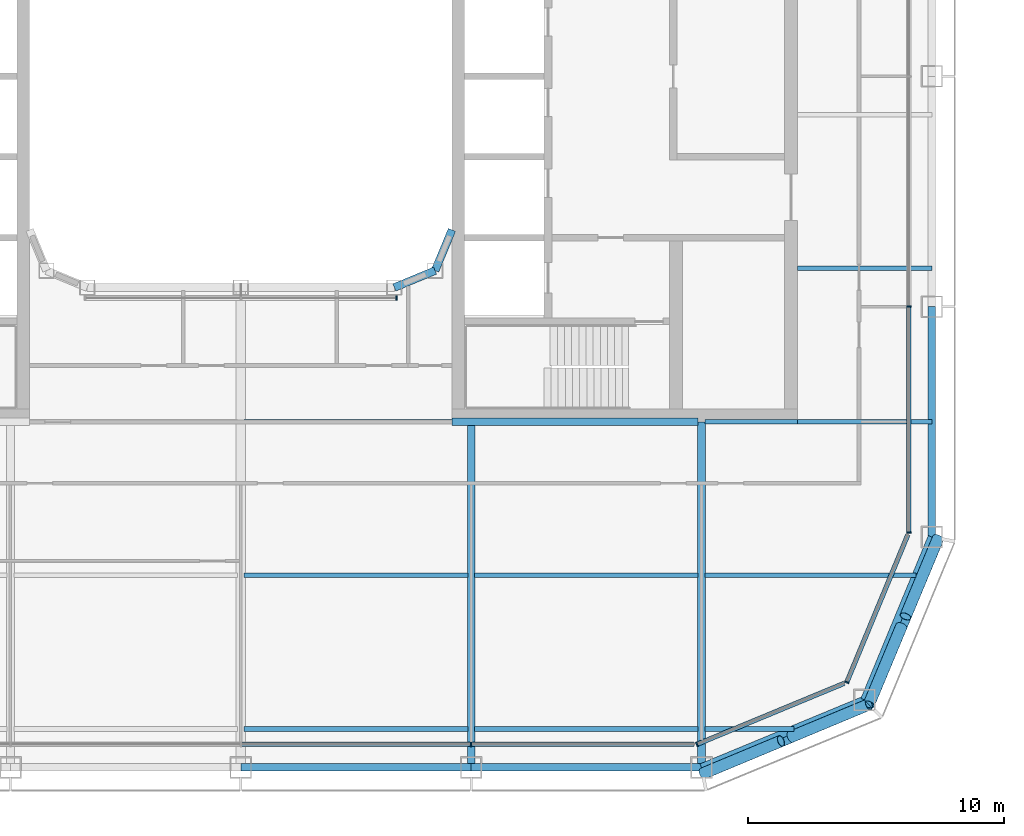
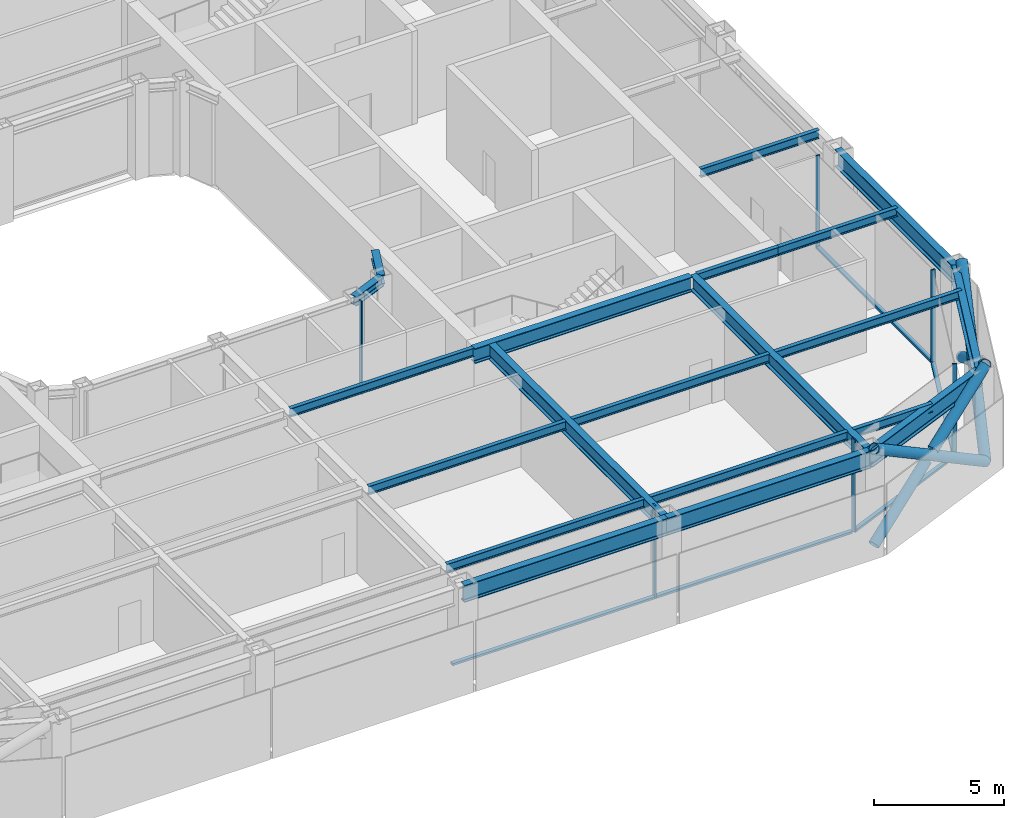
# One storey, part 4 of 23: 20 beams, 17 members, 5 elements without a shape of their own.
"""IFC4 building model written with IfcOpenShell, lengths in metres."""

from ifc_helpers import new_model, si_unit, direction, frame, origin, origin_2d, place, context, subcontext, project, spatial, rectangle, hollow_circle, i_section, extrude, material, layer, layer_set, material_profile, profile_set, type_object, element, aggregate, save


model = new_model("IFC4")

# Units and contexts
model_context = context("Model", 3, precision=1e-05, world=origin(), true_north=direction((0.0, 1.0)))
body_context = subcontext(model_context, "Body", "Model", "MODEL_VIEW")
ifc_project = project(units=[si_unit("LENGTHUNIT", "METRE"), si_unit("AREAUNIT", "SQUARE_METRE"), si_unit("VOLUMEUNIT", "CUBIC_METRE"), si_unit("PLANEANGLEUNIT", "RADIAN"), si_unit("MASSUNIT", "GRAM", prefix="KILO")], contexts=[model_context])

# Site, building, storey
site_placement = place(None, origin())
site = spatial("IfcSite", under=ifc_project, at=site_placement, CompositionType="ELEMENT")
building_placement = place(site_placement, origin())
building = spatial("IfcBuilding", under=site, at=building_placement, Name="Siwar Civic Tower", CompositionType="ELEMENT")
storey_placement = place(building_placement, frame((0.0, 0.0, 206.199951171875)))
storey = spatial("IfcBuildingStorey", under=building, at=storey_placement, Name="L44", CompositionType="ELEMENT", Elevation=206.199951171875)

# Curtain wall, member
ifc_material_1 = material(Name="Aluminium and glass", Category="aluminium")
ifc_layer_1 = layer(ifc_material_1, 0.179931640625)
ifc_layer_set_1 = layer_set([ifc_layer_1], Name="Aluminium and glass")
curtain_wall_type_1 = type_object("IfcCurtainWallType", Name="ENV-CW-C", PredefinedType="NOTDEFINED", material=ifc_layer_set_1)
curtain_wall_1_placement = place(storey_placement, origin())
curtain_wall_1 = element("IfcCurtainWall", 1, at=curtain_wall_1_placement, inside=storey, type_object=curtain_wall_type_1, Name="Curtain wall C S", PredefinedType="NOTDEFINED")
ifc_material_2 = material(Name="Aluminium 6063-T6", Category="aluminium")
ifc_material_profile_1 = material_profile(ifc_material_2, rectangle(XDim=0.179931640625, YDim=0.06005859375, at=origin_2d()), Name="AL 180x60")
ifc_profile_set_1 = profile_set([ifc_material_profile_1], Name="Aluminium 6063-T6")
member_type_1 = type_object("IfcMemberType", Name="ENV-MULLION-C", PredefinedType="MULLION", material=ifc_profile_set_1)
member_1_placement = place(storey_placement, frame((9.0, -26.10009765625, 0.0), z_axis=(0.0, 0.0, 1.0), x_axis=(0.0, 1.0, 0.0)))
member_1 = element("IfcMember", 2, at=member_1_placement, type_object=member_type_1, Name="Mullion C S 4", PredefinedType="MULLION", context=body_context, shape_type="SweptSolid", body=[
    extrude(rectangle(XDim=0.179931640625, YDim=0.06005859375, at=origin_2d()), origin(), (0.0, 0.0, 1.0), 4.35009765625),
])

ifc_material_3 = material(Name="Aluminium clad insulated panel", Category="aluminium")
ifc_layer_2 = layer(ifc_material_3, 0.179931640625)
ifc_layer_set_2 = layer_set([ifc_layer_2], Name="Aluminium clad insulated panel")
curtain_wall_type_2 = type_object("IfcCurtainWallType", Name="ENV-CW-CX", PredefinedType="NOTDEFINED", material=ifc_layer_set_2)
curtain_wall_2_placement = place(storey_placement, origin())
curtain_wall_2 = element("IfcCurtainWall", 3, at=curtain_wall_2_placement, inside=storey, type_object=curtain_wall_type_2, Name="Curtain wall C SE1", PredefinedType="NOTDEFINED")
member_2_placement = place(storey_placement, frame((17.821044921875, -26.10009765625, 0.0), z_axis=(0.0, 0.0, 1.0), x_axis=(-0.382683432365, 0.923879532511, 0.0)))
member_2 = element("IfcMember", 4, at=member_2_placement, type_object=member_type_1, Name="Mullion C SE1 1", PredefinedType="MULLION", context=body_context, shape_type="SweptSolid", body=[
    extrude(rectangle(XDim=0.179931640625, YDim=0.06005859375, at=origin_2d()), origin(), (0.0, 0.0, 1.0), 4.35009765625),
])

curtain_wall_3_placement = place(storey_placement, origin())
curtain_wall_3 = element("IfcCurtainWall", 5, at=curtain_wall_3_placement, inside=storey, type_object=curtain_wall_type_2, Name="Curtain wall C SE2", PredefinedType="NOTDEFINED")
member_3_placement = place(storey_placement, frame((23.675048828125, -23.675048828125, 0.0), z_axis=(0.0, 0.0, 1.0), x_axis=(-0.923879532511, 0.382683432365, 0.0)))
member_3 = element("IfcMember", 6, at=member_3_placement, type_object=member_type_1, Name="Mullion C SE2 1", PredefinedType="MULLION", context=body_context, shape_type="SweptSolid", body=[
    extrude(rectangle(XDim=0.179931640625, YDim=0.06005859375, at=origin_2d()), origin(), (0.0, 0.0, 1.0), 4.35009765625),
])

# Curtain wall, members
curtain_wall_4_placement = place(storey_placement, origin())
curtain_wall_4 = element("IfcCurtainWall", 7, at=curtain_wall_4_placement, inside=storey, type_object=curtain_wall_type_1, Name="Curtain wall C E", PredefinedType="NOTDEFINED")
member_4_placement = place(storey_placement, frame((26.10009765625, -17.821044921875, 0.0), z_axis=(0.0, 0.0, 1.0), x_axis=(-1.0, 0.0, 0.0)))
member_4 = element("IfcMember", 8, at=member_4_placement, type_object=member_type_1, Name="Mullion C E 1", PredefinedType="MULLION", context=body_context, shape_type="SweptSolid", body=[
    extrude(rectangle(XDim=0.179931640625, YDim=0.06005859375, at=origin_2d()), origin(), (0.0, 0.0, 1.0), 4.35009765625),
])
member_5_placement = place(storey_placement, frame((26.10009765625, -9.0, 0.0), z_axis=(0.0, 0.0, 1.0), x_axis=(-1.0, 0.0, 0.0)))
member_5 = element("IfcMember", 9, at=member_5_placement, type_object=member_type_1, Name="Mullion C E 2", PredefinedType="MULLION", context=body_context, shape_type="SweptSolid", body=[
    extrude(rectangle(XDim=0.179931640625, YDim=0.06005859375, at=origin_2d()), origin(), (0.0, 0.0, 1.0), 4.35009765625),
])

# Curtain wall, member
ifc_material_4 = material(Name="Aluminium and glass", Category="aluminium")
ifc_layer_3 = layer(ifc_material_4, 0.179931640625)
ifc_layer_set_3 = layer_set([ifc_layer_3], Name="Aluminium and glass")
curtain_wall_type_3 = type_object("IfcCurtainWallType", Name="ENV-CW-W", PredefinedType="NOTDEFINED", material=ifc_layer_set_3)
curtain_wall_5_placement = place(storey_placement, origin())
curtain_wall_5 = element("IfcCurtainWall", 10, at=curtain_wall_5_placement, inside=storey, type_object=curtain_wall_type_3, Name="Curtain wall W WS", PredefinedType="NOTDEFINED")
ifc_material_5 = material(Name="Aluminium 6063-T6", Category="aluminium")
ifc_material_profile_2 = material_profile(ifc_material_5, rectangle(XDim=0.179931640625, YDim=0.06005859375, at=origin_2d()), Name="AL 180x60")
ifc_profile_set_2 = profile_set([ifc_material_profile_2], Name="Aluminium 6063-T6")
member_type_2 = type_object("IfcMemberType", Name="ENV-MULLION-W", PredefinedType="MULLION", material=ifc_profile_set_2)
member_6_placement = place(storey_placement, frame((6.08154296875, -8.659912109375, 0.0), z_axis=(0.0, 0.0, 1.0), x_axis=(0.0, 1.0, 0.0)))
member_6 = element("IfcMember", 11, at=member_6_placement, type_object=member_type_2, Name="Mullion W WS 3", PredefinedType="MULLION", context=body_context, shape_type="SweptSolid", body=[
    extrude(rectangle(XDim=0.179931640625, YDim=0.06005859375, at=origin_2d()), origin(), (0.0, 0.0, 1.0), 4.35009765625),
])
aggregate(curtain_wall_5, [member_6])

# Member
ifc_material_6 = material(Name="Aluminium 6063-T6", Category="aluminium")
ifc_material_profile_3 = material_profile(ifc_material_6, rectangle(XDim=0.179931640625, YDim=0.10009765625, at=origin_2d()), Name="AL 180x100")
ifc_profile_set_3 = profile_set([ifc_material_profile_3], Name="Aluminium 6063-T6")
member_type_3 = type_object("IfcMemberType", Name="ENV-TRANSOM-C", PredefinedType="USERDEFINED", material=ifc_profile_set_3)
member_7_placement = place(storey_placement, frame((0.030029296875, -26.10009765625, 0.050048828125), z_axis=(1.0, 0.0, 0.0), x_axis=(0.0, 1.0, 0.0)))
member_7 = element("IfcMember", 12, at=member_7_placement, type_object=member_type_3, Name="Transom C S 3", ObjectType="TRANSOM", PredefinedType="USERDEFINED", context=body_context, shape_type="SweptSolid", body=[
    extrude(rectangle(XDim=0.179931640625, YDim=0.10009765625, at=origin_2d()), origin(), (0.0, 0.0, 1.0), 8.93994140625),
])

member_8_placement = place(storey_placement, frame((9.030029296875, -26.10009765625, 0.050048828125), z_axis=(1.0, 0.0, 0.0), x_axis=(0.0, 1.0, 0.0)))
member_8 = element("IfcMember", 13, at=member_8_placement, type_object=member_type_3, Name="Transom C S 4", ObjectType="TRANSOM", PredefinedType="USERDEFINED", context=body_context, shape_type="SweptSolid", body=[
    extrude(rectangle(XDim=0.179931640625, YDim=0.10009765625, at=origin_2d()), origin(), (0.0, 0.0, 1.0), 8.68603515625),
])

aggregate(curtain_wall_1, [member_1, member_7, member_8])

member_9_placement = place(storey_placement, frame((17.8486328125, -26.088623046875, 0.050048828125), z_axis=(0.923882011223, 0.38267744817, 0.0), x_axis=(-0.38267744817, 0.923882011223, 0.0)))
member_9 = element("IfcMember", 14, at=member_9_placement, type_object=member_type_3, Name="Transom C SE1 1", ObjectType="TRANSOM", PredefinedType="USERDEFINED", context=body_context, shape_type="SweptSolid", body=[
    extrude(rectangle(XDim=0.179931640625, YDim=0.10009765625, at=origin_2d()), origin(), (0.0, 0.0, 1.0), 6.201904296875),
])

aggregate(curtain_wall_2, [member_2, member_9])

member_10_placement = place(storey_placement, frame((23.6865234375, -23.6474609375, 0.050048828125), z_axis=(0.382691366456, 0.923876246063, 0.0), x_axis=(-0.923876246063, 0.382691366456, 0.0)))
member_10 = element("IfcMember", 15, at=member_10_placement, type_object=member_type_3, Name="Transom C SE2 1", ObjectType="TRANSOM", PredefinedType="USERDEFINED", context=body_context, shape_type="SweptSolid", body=[
    extrude(rectangle(XDim=0.179931640625, YDim=0.10009765625, at=origin_2d()), origin(), (0.0, 0.0, 1.0), 6.20166015625),
])

aggregate(curtain_wall_3, [member_3, member_10])

member_11_placement = place(storey_placement, frame((26.10009765625, -17.791015625, 0.050048828125), z_axis=(0.0, 1.0, 0.0), x_axis=(-1.0, 0.0, 0.0)))
member_11 = element("IfcMember", 16, at=member_11_placement, type_object=member_type_3, Name="Transom C E 1", ObjectType="TRANSOM", PredefinedType="USERDEFINED", context=body_context, shape_type="SweptSolid", body=[
    extrude(rectangle(XDim=0.179931640625, YDim=0.10009765625, at=origin_2d()), origin(), (0.0, 0.0, 1.0), 8.760986328125),
])

aggregate(curtain_wall_4, [member_4, member_5, member_11])

# Members
ifc_material_7 = material(Name="Steel S355", Category="steel")
ifc_material_profile_4 = material_profile(ifc_material_7, hollow_circle(Radius=0.228515625, WallThickness=0.02001953125, at=origin_2d()), Name="CHS457x20")
ifc_profile_set_4 = profile_set([ifc_material_profile_4], Name="Steel S355")
member_type_4 = type_object("IfcMemberType", Name="STR-BR-CHS457x20", PredefinedType="BRACE", material=ifc_profile_set_4)
member_12_placement = place(storey_placement, frame((24.540771484375, -24.540771484375, 0.0), z_axis=(0.323905527954, 0.777554562952, 0.538975055633), x_axis=(-0.923108759191, 0.384538969033, 0.0)))
element("IfcMember", 17, at=member_12_placement, inside=storey, type_object=member_type_4, Name="L44/brc/CSE1-4-0-1", PredefinedType="BRACE", context=body_context, shape_type="SweptSolid", body=[
    extrude(hollow_circle(Radius=0.228515625, WallThickness=0.02001953125, at=origin_2d()), origin(), (0.0, 0.0, 1.0), 8.34912109375),
])
for number, where, z_axis, x_axis, name in (
    (18, (27.2451171875, -18.048828125, 0.0), (-0.323884455881, -0.777546448489, 0.538999424564), (0.92311621485, -0.38452107079, 0.0), "L44/brc/CSE1-4-0-2"),
    (19, (25.81298828125, -21.486572265625, 2.383056640625), (-0.323895306243, -0.777572496853, 0.538955325357), (0.92311621485, -0.38452107079, 0.0), "L44/brc/CSE1-4-0-3"),
):
    element("IfcMember", number, at=place(storey_placement, frame(where, z_axis=z_axis, x_axis=x_axis)), inside=storey, type_object=member_type_4, Name=name, PredefinedType="BRACE", context=body_context, shape_type="SweptSolid", body=[
        extrude(hollow_circle(Radius=0.228515625, WallThickness=0.02001953125, at=origin_2d()), origin(), (0.0, 0.0, 1.0), 3.927978515625),
    ])
member_13_placement = place(storey_placement, frame((24.540771484375, -24.540771484375, 0.0), z_axis=(-0.777554562952, -0.323905527954, 0.538975055633), x_axis=(0.384538969033, -0.923108759191, 0.0)))
element("IfcMember", 20, at=member_13_placement, inside=storey, type_object=member_type_4, Name="L44/brc/CSE1-4-0-0", PredefinedType="BRACE", context=body_context, shape_type="SweptSolid", body=[
    extrude(hollow_circle(Radius=0.228515625, WallThickness=0.02001953125, at=origin_2d()), origin(), (0.0, 0.0, 1.0), 8.34912109375),
])
for number, where, z_axis, x_axis, name in (
    (21, (18.048828125, -27.2451171875, 0.0), (0.777546448489, 0.323884455881, 0.538999424564), (-0.38452107079, 0.92311621485, 0.0), "L44/brc/CSE1-4-0-4"),
    (22, (21.486572265625, -25.81298828125, 2.383056640625), (0.777572496853, 0.323895306243, 0.538955325357), (-0.38452107079, 0.92311621485, 0.0), "L44/brc/CSE1-4-0-5"),
):
    element("IfcMember", number, at=place(storey_placement, frame(where, z_axis=z_axis, x_axis=x_axis)), inside=storey, type_object=member_type_4, Name=name, PredefinedType="BRACE", context=body_context, shape_type="SweptSolid", body=[
        extrude(hollow_circle(Radius=0.228515625, WallThickness=0.02001953125, at=origin_2d()), origin(), (0.0, 0.0, 1.0), 3.927978515625),
    ])

# Beams
ifc_material_8 = material(Name="Steel S355", Category="steel")
ifc_material_profile_5 = material_profile(ifc_material_8, i_section(OverallWidth=0.179931640625, OverallDepth=0.39990234375, WebThickness=0.008544921875, FlangeThickness=0.013427734375, FilletRadius=0.02099609375, at=origin_2d()), Name="IPE400")
ifc_profile_set_5 = profile_set([ifc_material_profile_5], Name="Steel S355")
beam_type_1 = type_object("IfcBeamType", Name="STR-FB-IPE400", PredefinedType="JOIST", material=ifc_profile_set_5)
for number, where, z_axis, x_axis, name in (
    (23, (0.1298828125, -25.5, 4.150146484375), (1.0, 0.0, 0.0), (0.0, 1.0, 0.0), "L44/bm/F004"),
    (24, (9.1298828125, -25.5, 4.150146484375), (1.0, 0.0, 0.0), (0.0, 1.0, 0.0), "L44/bm/F005"),
):
    element("IfcBeam", number, at=place(storey_placement, frame(where, z_axis=z_axis, x_axis=x_axis)), inside=storey, type_object=beam_type_1, Name=name, PredefinedType="JOIST", context=body_context, shape_type="SweptSolid", body=[
        extrude(i_section(OverallWidth=0.179931640625, OverallDepth=0.39990234375, WebThickness=0.008544921875, FlangeThickness=0.013427734375, FilletRadius=0.02099609375, at=origin_2d()), origin(), (0.0, 0.0, 1.0), 8.740234375),
    ])
beam_1_placement = place(storey_placement, frame((18.1298828125, -25.5, 4.150146484375), z_axis=(1.0, 0.0, 0.0), x_axis=(0.0, 1.0, 0.0)))
element("IfcBeam", 25, at=beam_1_placement, inside=storey, type_object=beam_type_1, Name="L44/bm/F006", PredefinedType="JOIST", context=body_context, shape_type="SweptSolid", body=[
    extrude(i_section(OverallWidth=0.179931640625, OverallDepth=0.39990234375, WebThickness=0.008544921875, FlangeThickness=0.013427734375, FilletRadius=0.02099609375, at=origin_2d()), origin(), (0.0, 0.0, 1.0), 3.491455078125),
])
for number, where, z_axis, x_axis, name in (
    (26, (0.1298828125, -19.5, 4.150146484375), (1.0, 0.0, 0.0), (0.0, 1.0, 0.0), "L44/bm/F010"),
    (27, (9.1298828125, -19.5, 4.150146484375), (1.0, 0.0, 0.0), (0.0, 1.0, 0.0), "L44/bm/F011"),
):
    element("IfcBeam", number, at=place(storey_placement, frame(where, z_axis=z_axis, x_axis=x_axis)), inside=storey, type_object=beam_type_1, Name=name, PredefinedType="JOIST", context=body_context, shape_type="SweptSolid", body=[
        extrude(i_section(OverallWidth=0.179931640625, OverallDepth=0.39990234375, WebThickness=0.008544921875, FlangeThickness=0.013427734375, FilletRadius=0.02099609375, at=origin_2d()), origin(), (0.0, 0.0, 1.0), 8.740234375),
    ])
beam_2_placement = place(storey_placement, frame((18.1298828125, -19.5, 4.150146484375), z_axis=(1.0, 0.0, 0.0), x_axis=(0.0, 1.0, 0.0)))
element("IfcBeam", 28, at=beam_2_placement, inside=storey, type_object=beam_type_1, Name="L44/bm/F012", PredefinedType="JOIST", context=body_context, shape_type="SweptSolid", body=[
    extrude(i_section(OverallWidth=0.179931640625, OverallDepth=0.39990234375, WebThickness=0.008544921875, FlangeThickness=0.013427734375, FilletRadius=0.02099609375, at=origin_2d()), origin(), (0.0, 0.0, 1.0), 8.248779296875),
])
beam_3_placement = place(storey_placement, frame((0.1298828125, -13.5, 4.150146484375), z_axis=(1.0, 0.0, 0.0), x_axis=(0.0, 1.0, 0.0)))
element("IfcBeam", 29, at=beam_3_placement, inside=storey, type_object=beam_type_1, Name="L44/bm/F017", PredefinedType="JOIST", context=body_context, shape_type="SweptSolid", body=[
    extrude(i_section(OverallWidth=0.179931640625, OverallDepth=0.39990234375, WebThickness=0.008544921875, FlangeThickness=0.013427734375, FilletRadius=0.02099609375, at=origin_2d()), origin(), (0.0, 0.0, 1.0), 8.1201171875),
])
beam_4_placement = place(storey_placement, frame((18.1298828125, -13.5, 4.150146484375), z_axis=(1.0, 0.0, 0.0), x_axis=(0.0, 1.0, 0.0)))
element("IfcBeam", 30, at=beam_4_placement, inside=storey, type_object=beam_type_1, Name="L44/bm/F019", PredefinedType="JOIST", context=body_context, shape_type="SweptSolid", body=[
    extrude(i_section(OverallWidth=0.179931640625, OverallDepth=0.39990234375, WebThickness=0.008544921875, FlangeThickness=0.013427734375, FilletRadius=0.02099609375, at=origin_2d()), origin(), (0.0, 0.0, 1.0), 3.6201171875),
])
for number, where, z_axis, x_axis, name in (
    (31, (21.75, -13.5, 4.150146484375), (1.0, 0.0, 0.0), (0.0, 1.0, 0.0), "L44/bm/F020"),
    (32, (21.75, -7.5, 4.150146484375), (1.0, 0.0, 0.0), (0.0, 1.0, 0.0), "L44/bm/F022"),
):
    element("IfcBeam", number, at=place(storey_placement, frame(where, z_axis=z_axis, x_axis=x_axis)), inside=storey, type_object=beam_type_1, Name=name, PredefinedType="JOIST", context=body_context, shape_type="SweptSolid", body=[
        extrude(i_section(OverallWidth=0.179931640625, OverallDepth=0.39990234375, WebThickness=0.008544921875, FlangeThickness=0.013427734375, FilletRadius=0.02099609375, at=origin_2d()), origin(), (0.0, 0.0, 1.0), 5.25),
    ])
ifc_material_9 = material(Name="Steel S355", Category="steel")
ifc_material_profile_6 = material_profile(ifc_material_9, i_section(OverallWidth=0.300048828125, OverallDepth=0.699951171875, WebThickness=0.01708984375, FlangeThickness=0.031982421875, FilletRadius=0.027099609375, at=origin_2d()), Name="HEB700")
ifc_profile_set_6 = profile_set([ifc_material_profile_6], Name="Steel S355")
beam_type_2 = type_object("IfcBeamType", Name="STR-PG-HEB700", PredefinedType="BEAM", material=ifc_profile_set_6)
for number, where, z_axis, x_axis, name in (
    (33, (9.0, -27.0, 4.0), (0.0, 1.0, 0.0), (-1.0, 0.0, 0.0), "L44/bm/G07"),
    (34, (18.0, -27.0, 4.0), (0.0, 1.0, 0.0), (-1.0, 0.0, 0.0), "L44/bm/G09"),
):
    element("IfcBeam", number, at=place(storey_placement, frame(where, z_axis=z_axis, x_axis=x_axis)), inside=storey, type_object=beam_type_2, Name=name, PredefinedType="BEAM", context=body_context, shape_type="SweptSolid", body=[
        extrude(i_section(OverallWidth=0.300048828125, OverallDepth=0.699951171875, WebThickness=0.01708984375, FlangeThickness=0.031982421875, FilletRadius=0.027099609375, at=origin_2d()), origin(), (0.0, 0.0, 1.0), 13.5),
    ])
beam_5_placement = place(storey_placement, frame((8.25, -13.5, 4.0), z_axis=(1.0, 0.0, 0.0), x_axis=(0.0, 1.0, 0.0)))
element("IfcBeam", 35, at=beam_5_placement, inside=storey, type_object=beam_type_2, Name="L44/bm/F018", PredefinedType="BEAM", context=body_context, shape_type="SweptSolid", body=[
    extrude(i_section(OverallWidth=0.300048828125, OverallDepth=0.699951171875, WebThickness=0.01708984375, FlangeThickness=0.031982421875, FilletRadius=0.027099609375, at=origin_2d()), origin(), (0.0, 0.0, 1.0), 9.6201171875),
])
ifc_material_10 = material(Name="Steel S355", Category="steel")
ifc_material_profile_7 = material_profile(ifc_material_10, i_section(OverallWidth=0.306884765625, OverallDepth=0.431884765625, WebThickness=0.02099609375, FlangeThickness=0.0400390625, FilletRadius=0.027099609375, at=origin_2d()), Name="HEM400")
ifc_profile_set_7 = profile_set([ifc_material_profile_7], Name="Steel S355")
beam_type_3 = type_object("IfcBeamType", Name="STR-RB-HEM400", PredefinedType="BEAM", material=ifc_profile_set_7)
for number, where, z_axis, x_axis, name in (
    (36, (6.0, -8.25, 4.134033203125), (0.923901072997, 0.382631424892, 0.0), (-0.382631424892, 0.923901072997, 0.0), "L44/bm/RS3"),
    (37, (7.591064453125, -7.591064453125, 4.134033203125), (0.382631424892, 0.923901072997, 0.0), (-0.923901072997, 0.382631424892, 0.0), "L44/bm/RSEE"),
):
    element("IfcBeam", number, at=place(storey_placement, frame(where, z_axis=z_axis, x_axis=x_axis)), inside=storey, type_object=beam_type_3, Name=name, PredefinedType="BEAM", context=body_context, shape_type="SweptSolid", body=[
        extrude(i_section(OverallWidth=0.306884765625, OverallDepth=0.431884765625, WebThickness=0.02099609375, FlangeThickness=0.0400390625, FilletRadius=0.027099609375, at=origin_2d()), origin(), (0.0, 0.0, 1.0), 1.72216796875),
    ])
ifc_material_11 = material(Name="Steel S355", Category="steel")
ifc_material_profile_8 = material_profile(ifc_material_11, i_section(OverallWidth=0.300048828125, OverallDepth=0.800048828125, WebThickness=0.017578125, FlangeThickness=0.032958984375, FilletRadius=0.030029296875, at=origin_2d()), Name="HEB800")
ifc_profile_set_8 = profile_set([ifc_material_profile_8], Name="Steel S355")
beam_type_4 = type_object("IfcBeamType", Name="STR-SB-HEB800", PredefinedType="BEAM", material=ifc_profile_set_8)
for number, where, z_axis, x_axis, name in (
    (38, (0.0, -27.0, 3.949951171875), (1.0, 0.0, 0.0), (0.0, 1.0, 0.0), "L44/bm/SS-2"),
    (39, (9.0, -27.0, 3.949951171875), (1.0, 0.0, 0.0), (0.0, 1.0, 0.0), "L44/bm/SS-3"),
):
    element("IfcBeam", number, at=place(storey_placement, frame(where, z_axis=z_axis, x_axis=x_axis)), inside=storey, type_object=beam_type_4, Name=name, PredefinedType="BEAM", context=body_context, shape_type="SweptSolid", body=[
        extrude(i_section(OverallWidth=0.300048828125, OverallDepth=0.800048828125, WebThickness=0.017578125, FlangeThickness=0.032958984375, FilletRadius=0.030029296875, at=origin_2d()), origin(), (0.0, 0.0, 1.0), 9.0),
    ])
for number, where, z_axis, x_axis, name in (
    (40, (18.0, -27.0, 3.949951171875), (0.923883353507, 0.382674207535, 0.0), (-0.382674207535, 0.923883353507, 0.0), "L44/bm/SSE1-0"),
    (41, (24.364013671875, -24.364013671875, 3.949951171875), (0.382674207535, 0.923883353507, 0.0), (-0.923883353507, 0.382674207535, 0.0), "L44/bm/SSE2-0"),
):
    element("IfcBeam", number, at=place(storey_placement, frame(where, z_axis=z_axis, x_axis=x_axis)), inside=storey, type_object=beam_type_4, Name=name, PredefinedType="BEAM", context=body_context, shape_type="SweptSolid", body=[
        extrude(i_section(OverallWidth=0.300048828125, OverallDepth=0.800048828125, WebThickness=0.017578125, FlangeThickness=0.032958984375, FilletRadius=0.030029296875, at=origin_2d()), origin(), (0.0, 0.0, 1.0), 6.888427734375),
    ])
beam_6_placement = place(storey_placement, frame((27.0, -18.0, 3.949951171875), z_axis=(0.0, 1.0, 0.0), x_axis=(-1.0, 0.0, 0.0)))
element("IfcBeam", 42, at=beam_6_placement, inside=storey, type_object=beam_type_4, Name="L44/bm/SE-0", PredefinedType="BEAM", context=body_context, shape_type="SweptSolid", body=[
    extrude(i_section(OverallWidth=0.300048828125, OverallDepth=0.800048828125, WebThickness=0.017578125, FlangeThickness=0.032958984375, FilletRadius=0.030029296875, at=origin_2d()), origin(), (0.0, 0.0, 1.0), 9.0),
])

save(model, "model.ifc")
